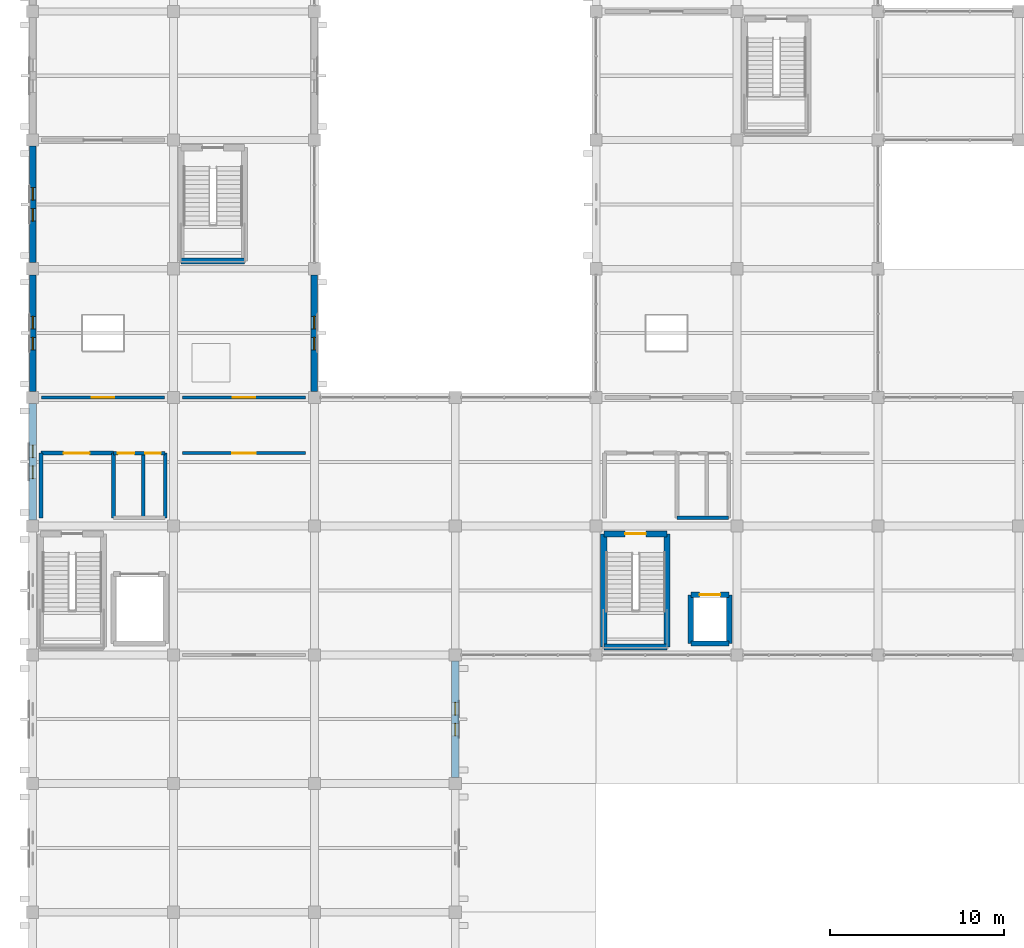
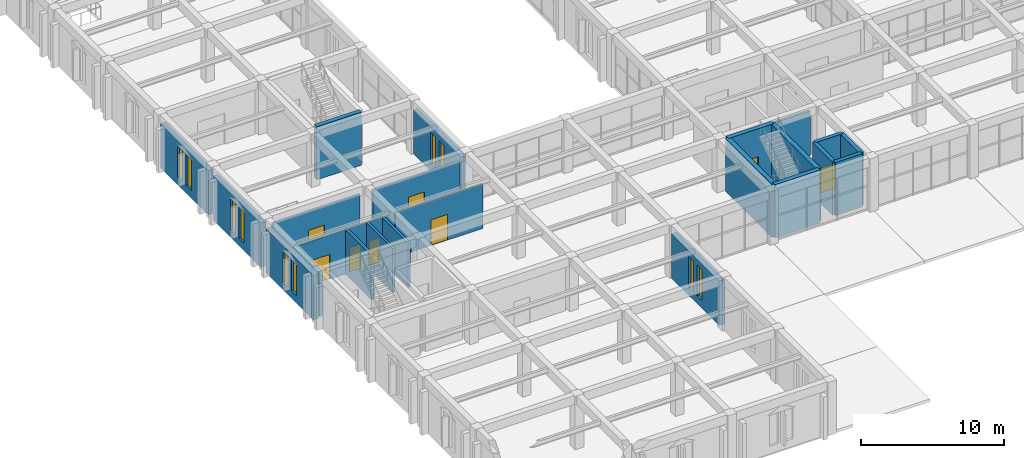
# One storey, part 144 of 161: 24 walls, 10 windows, 8 doors, 18 openings.
"""IFC4 building model written with IfcOpenShell, lengths in metres."""

import ifcopenshell
import ifcopenshell.guid

model = None  # the IFC model being written
_history = None  # IfcOwnerHistory: only IFC2X3 demands one
_inside = {}  # id of a spatial element -> (the spatial element, [elements in it])
_under = {}  # id of a project, library or spatial element -> (it, [spatial elements below it])
_declared = {}  # id of a project -> (the project, [libraries it declares])
_typed = {}  # id of a type object -> (the type object, [elements of that type])
_made_of = {}  # id of a material, layer set ... -> (it, [elements and type objects made of it])


def new_model(schema):
    """Start an empty IFC model of exactly this schema.

    Asked for "IFC4X3", IfcOpenShell would pick the latest addendum, in which some entities
    have other attributes; the version numbers below select the first issue.
    IFC2X3 requires an IfcOwnerHistory on every rooted entity: one is made here for all.
    """
    global model, _history
    if schema == "IFC4X3":
        model = ifcopenshell.file(schema_version=(4, 3, 0, 0))
    else:
        model = ifcopenshell.file(schema=schema)
    _inside.clear()
    _under.clear()
    _declared.clear()
    _typed.clear()
    _made_of.clear()
    _history = None
    if model.schema == "IFC2X3":
        org = make("IfcOrganization", Name="unknown")
        user = make(
            "IfcPersonAndOrganization",
            ThePerson=make("IfcPerson", FamilyName="unknown"),
            TheOrganization=org,
        )
        app = make(
            "IfcApplication",
            ApplicationDeveloper=org,
            Version="unknown",
            ApplicationFullName="unknown",
            ApplicationIdentifier="unknown",
        )
        _history = make(
            "IfcOwnerHistory",
            OwningUser=user,
            OwningApplication=app,
            ChangeAction="ADDED",
            CreationDate=0,
        )
    return model


def make(cls, **values):
    """One entity of the class cls with the attributes given. An attribute that is None is left unset."""
    return model.create_entity(
        cls, **{name: value for name, value in values.items() if value is not None}
    )


def rooted(cls, **values):
    """An entity with a GlobalId (a new one), such as an element, a storey or a relation."""
    return make(cls, GlobalId=ifcopenshell.guid.new(), OwnerHistory=_history, **values)


def si_unit(unit_type, name, prefix=None):
    """IfcSIUnit, for example si_unit("LENGTHUNIT", "METRE", prefix="MILLI")."""
    return make("IfcSIUnit", UnitType=unit_type, Prefix=prefix, Name=name)


def assignment(units):
    """IfcUnitAssignment: the units of a project."""
    return None if units is None else make("IfcUnitAssignment", Units=units)


def point(xyz):
    """IfcCartesianPoint."""
    return None if xyz is None else make("IfcCartesianPoint", Coordinates=xyz)


def direction(xyz):
    """IfcDirection."""
    return None if xyz is None else make("IfcDirection", DirectionRatios=xyz)


def frame(location, z_axis=None, x_axis=None):
    """IfcAxis2Placement3D, a coordinate frame: its origin and axes. An axis left out is left unset."""
    return make(
        "IfcAxis2Placement3D",
        Location=point(location),
        Axis=direction(z_axis),
        RefDirection=direction(x_axis),
    )


def frame_2d(location, x_axis=None):
    """IfcAxis2Placement2D, a coordinate frame in the plane: its origin and x axis."""
    return make(
        "IfcAxis2Placement2D", Location=point(location), RefDirection=direction(x_axis)
    )


def origin():
    """The frame at (0, 0, 0) with its axes left unset."""
    return frame((0.0, 0.0, 0.0))


def place(relative_to, where):
    """IfcLocalPlacement: puts the frame where relative to a parent placement (None: the world)."""
    return make(
        "IfcLocalPlacement", PlacementRelTo=relative_to, RelativePlacement=where
    )


def context(
    kind, dimensions, precision=None, world=None, true_north=None, identifier=None
):
    """IfcGeometricRepresentationContext, for example the 3D "Model" context."""
    return make(
        "IfcGeometricRepresentationContext",
        ContextIdentifier=identifier,
        ContextType=kind,
        CoordinateSpaceDimension=dimensions,
        Precision=precision,
        WorldCoordinateSystem=world,
        TrueNorth=true_north,
    )


def subcontext(parent, identifier, kind, view, scale=None):
    """IfcGeometricRepresentationSubContext, for example "Body" below "Model"."""
    return make(
        "IfcGeometricRepresentationSubContext",
        ContextIdentifier=identifier,
        ContextType=kind,
        ParentContext=parent,
        TargetScale=scale,
        TargetView=view,
    )


def project(units=None, contexts=None):
    """IfcProject with its units and contexts."""
    return rooted(
        "IfcProject",
        Name="project",
        RepresentationContexts=contexts,
        UnitsInContext=assignment(units),
    )


def spatial(cls, under=None, at=None, **own):
    """A site, building, storey or space (cls), placed at a placement, below another one or the project."""
    s = rooted(cls, ObjectPlacement=at, **own)
    if under is not None:
        _under.setdefault(under.id(), (under, []))[1].append(s)
    return s


def profile(cls, at=None, kind="AREA", **sizes):
    """A parametric profile (cls). Its sizes go by their IFC names, for example OverallWidth=200.0."""
    return make(cls, ProfileType=kind, Position=at, **sizes)


def rectangle(**sizes):
    """IfcRectangleProfileDef."""
    return profile("IfcRectangleProfileDef", **sizes)


def extrude(swept, where, along, depth):
    """IfcExtrudedAreaSolid: the profile swept, set in the frame where, extruded along a direction by depth."""
    return make(
        "IfcExtrudedAreaSolid",
        SweptArea=swept,
        Position=where,
        ExtrudedDirection=direction(along),
        Depth=depth,
    )


def shape(context_of_items, identifier, shape_type, items):
    """IfcShapeRepresentation: the items that make up one representation, for example the "Body"."""
    return make(
        "IfcShapeRepresentation",
        ContextOfItems=context_of_items,
        RepresentationIdentifier=identifier,
        RepresentationType=shape_type,
        Items=items,
    )


def material(Name=None, Category=None):
    """IfcMaterial."""
    return make("IfcMaterial", Name=Name, Category=Category)


def layer(
    of_material, thickness, ventilated=None, Name=None, Category=None, Priority=None
):
    """IfcMaterialLayer: one layer of a wall or slab, of a material (None: an air gap)."""
    return make(
        "IfcMaterialLayer",
        Material=of_material,
        LayerThickness=thickness,
        IsVentilated=ventilated,
        Name=Name,
        Category=Category,
        Priority=Priority,
    )


def layer_set(layers, Name=None):
    """IfcMaterialLayerSet."""
    return make("IfcMaterialLayerSet", MaterialLayers=layers, LayerSetName=Name)


def made_of(thing, what):
    """Note that an element or type object is made of a material, layer set ...; save() writes the relation."""
    if what is not None:
        _made_of.setdefault(what.id(), (what, []))[1].append(thing)
    return thing


def type_object(cls, material=None, **own):
    """A type object (cls), such as IfcWallType, which elements share."""
    return made_of(rooted(cls, **own), material)


def element(
    cls,
    number,
    at=None,
    inside=None,
    cuts=None,
    type_object=None,
    material=None,
    context=None,
    identifier="Body",
    shape_type=None,
    held_by="IfcProductDefinitionShape",
    body=None,
    shapes=None,
    **own,
):
    """One element of the class cls, such as IfcWall. Its Tag is "e" and its number.

    at: its placement. inside: the storey or other place that contains it. cuts: it is an
    opening in that element (IfcRelVoidsElement). A single representation is given by context,
    identifier, shape_type and body (its items); several are given by shapes. held_by: the class
    of the entity that holds the representations. save() writes the other relations.
    """
    e = rooted(cls, Tag="e%d" % number, ObjectPlacement=at, **own)
    if body is not None:
        shapes = [shape(context, identifier, shape_type, body)]
    if shapes is not None:
        e.Representation = make(held_by, Representations=shapes)
    if inside is not None:
        _inside.setdefault(inside.id(), (inside, []))[1].append(e)
    if cuts is not None:
        rooted(
            "IfcRelVoidsElement", RelatingBuildingElement=cuts, RelatedOpeningElement=e
        )
    if type_object is not None:
        _typed.setdefault(type_object.id(), (type_object, []))[1].append(e)
    return made_of(e, material)


def fill(opening, filler):
    """IfcRelFillsElement: the door or window that sits in an opening."""
    return rooted(
        "IfcRelFillsElement",
        RelatingOpeningElement=opening,
        RelatedBuildingElement=filler,
    )


def aggregate(whole, parts):
    """IfcRelAggregates: a whole, such as a stair, and the parts it consists of."""
    return rooted("IfcRelAggregates", RelatingObject=whole, RelatedObjects=parts)


def save(model, path):
    """Write the relations noted so far, then the file.

    IfcRelAggregates (storeys below a building ...), IfcRelContainedInSpatialStructure (elements
    in a storey), IfcRelDefinesByType, IfcRelAssociatesMaterial and IfcRelDeclares: one each for
    every whole, place, type object, material and project.
    """
    for whole, parts in _under.values():
        aggregate(whole, parts)
    for where, things in _inside.values():
        rooted(
            "IfcRelContainedInSpatialStructure",
            RelatedElements=things,
            RelatingStructure=where,
        )
    for kind, things in _typed.values():
        rooted("IfcRelDefinesByType", RelatedObjects=things, RelatingType=kind)
    for what, things in _made_of.values():
        rooted("IfcRelAssociatesMaterial", RelatedObjects=things, RelatingMaterial=what)
    for by, libraries in _declared.values():
        rooted("IfcRelDeclares", RelatingContext=by, RelatedDefinitions=libraries)
    model.write(path)


model = new_model("IFC4")

# Units and contexts
model_context = context("Model", 3, precision=1e-05, world=origin(), true_north=direction((0.0, 1.0)))
body_context = subcontext(model_context, "Body", "Model", "MODEL_VIEW")
ifc_project = project(units=[si_unit("LENGTHUNIT", "METRE"), si_unit("AREAUNIT", "SQUARE_METRE"), si_unit("VOLUMEUNIT", "CUBIC_METRE"), si_unit("PLANEANGLEUNIT", "RADIAN"), si_unit("MASSUNIT", "GRAM", prefix="KILO")], contexts=[model_context])

# Site, building, storey
site_placement = place(None, origin())
site = spatial("IfcSite", under=ifc_project, at=site_placement, CompositionType="ELEMENT")
building_placement = place(site_placement, origin())
building = spatial("IfcBuilding", under=site, at=building_placement, Name="Cimatlan Art Gallery", CompositionType="ELEMENT")
storey_placement = place(building_placement, frame((0.0, 0.0, 5.39990234375)))
storey = spatial("IfcBuildingStorey", under=building, at=storey_placement, Name="L01", CompositionType="ELEMENT", Elevation=5.39990234375)

# Walls
ifc_material_1 = material(Name="Concrete C40/50", Category="concrete")
ifc_layer_1 = layer(ifc_material_1, 0.31005859375)
ifc_layer_set_1 = layer_set([ifc_layer_1], Name="Concrete C40/50")
wall_type_1 = type_object("IfcWallType", Name="W-CORE-310", PredefinedType="SHEAR", material=ifc_layer_set_1)
wall_1_placement = place(storey_placement, frame((39.85009765625, 24.550048828125, 0.0), z_axis=(0.0, 0.0, 1.0), x_axis=(0.0, 1.0, 0.0)))
element("IfcWall", 1, at=wall_1_placement, inside=storey, type_object=wall_type_1, Name="WL-SHFT-C2-L01-LW", PredefinedType="SHEAR", context=body_context, shape_type="SweptSolid", body=[
    extrude(rectangle(XDim=2.800048828125, YDim=0.31005859375, at=frame_2d((1.39990234375, 0.0))), origin(), (0.0, 0.0, 1.0), 4.55517578125),
])
wall_2_placement = place(storey_placement, frame((39.85009765625, 24.550048828125, 0.0), z_axis=(0.0, 0.0, 1.0), x_axis=(1.0, 0.0, 0.0)))
element("IfcWall", 2, at=wall_2_placement, inside=storey, type_object=wall_type_1, Name="WL-SHFT-C2-L01-LS", PredefinedType="SHEAR", context=body_context, shape_type="SweptSolid", body=[
    extrude(rectangle(XDim=2.199951171875, YDim=0.31005859375, at=frame_2d((1.10009765625, 0.0))), origin(), (0.0, 0.0, 1.0), 4.55517578125),
])
wall_3_placement = place(storey_placement, frame((42.050048828125, 24.550048828125, 0.0), z_axis=(0.0, 0.0, 1.0), x_axis=(0.0, 1.0, 0.0)))
element("IfcWall", 3, at=wall_3_placement, inside=storey, type_object=wall_type_1, Name="WL-SHFT-C2-L01-LE", PredefinedType="SHEAR", context=body_context, shape_type="SweptSolid", body=[
    extrude(rectangle(XDim=2.800048828125, YDim=0.31005859375, at=frame_2d((1.39990234375, 0.0))), origin(), (0.0, 0.0, 1.0), 4.55517578125),
])

# Wall, opening, door
wall_4_placement = place(storey_placement, frame((39.85009765625, 27.35009765625, 0.0), z_axis=(0.0, 0.0, 1.0), x_axis=(1.0, 0.0, 0.0)))
wall_4 = element("IfcWall", 4, at=wall_4_placement, inside=storey, type_object=wall_type_1, Name="WL-SHFT-C2-L01-LN", PredefinedType="SHEAR", context=body_context, shape_type="SweptSolid", body=[
    extrude(rectangle(XDim=2.199951171875, YDim=0.31005859375, at=frame_2d((1.10009765625, 0.0))), origin(), (0.0, 0.0, 1.0), 4.55517578125),
])
opening_1_placement = place(wall_4_placement, frame((0.5, 0.0, 0.0)))
opening_1 = element("IfcOpeningElement", 5, at=opening_1_placement, cuts=wall_4, Name="Opening LD-C2-L01", PredefinedType="OPENING", context=body_context, shape_type="SweptSolid", body=[
    extrude(rectangle(XDim=1.199951171875, YDim=2.14990234375, at=frame_2d((0.60009765625, 1.074951171875))), frame((0.0, 0.1650390625, 0.0), z_axis=(0.0, -1.0, 0.0), x_axis=(1.0, 0.0, 0.0)), (0.0, 0.0, 1.0), 0.330078125),
])
ifc_material_2 = material(Name="Fire-rated sliding firefighting lift landing door")
door_type_1 = type_object("IfcDoorType", Name="LD-FF-1200", OperationType="NOTDEFINED", PredefinedType="DOOR", material=ifc_material_2)
door_1_placement = place(opening_1_placement, origin())
door_1 = element("IfcDoor", 6, at=door_1_placement, inside=storey, type_object=door_type_1, Name="LD-FFL-01-L01", OperationType="SLIDING_TO_LEFT", OverallHeight=2.14990234375, OverallWidth=1.199951171875, PredefinedType="DOOR", context=body_context, shape_type="SweptSolid", body=[
    extrude(rectangle(XDim=1.199951171875, YDim=2.14990234375, at=frame_2d((0.60009765625, 1.074951171875))), frame((0.0, 0.02490234375, 0.0), z_axis=(0.0, -1.0, 0.0), x_axis=(1.0, 0.0, 0.0)), (0.0, 0.0, 1.0), 0.050048828125),
])
fill(opening_1, door_1)

# Walls
ifc_layer_2 = layer(ifc_material_1, 0.35009765625)
ifc_layer_set_2 = layer_set([ifc_layer_2], Name="Concrete C40/50")
wall_type_2 = type_object("IfcWallType", Name="W-CORE-350", PredefinedType="SHEAR", material=ifc_layer_set_2)
wall_5_placement = place(storey_placement, frame((34.840087890625, 24.340087890625, 0.0), z_axis=(0.0, 0.0, 1.0), x_axis=(0.0, 1.0, 0.0)))
element("IfcWall", 7, at=wall_5_placement, inside=storey, type_object=wall_type_2, Name="WL-CORE-C2-L01-SW", PredefinedType="SHEAR", context=body_context, shape_type="SweptSolid", body=[
    extrude(rectangle(XDim=6.52001953125, YDim=0.35009765625, at=frame_2d((3.260009765625, 0.0))), origin(), (0.0, 0.0, 1.0), 4.55517578125),
])
wall_6_placement = place(storey_placement, frame((34.840087890625, 24.340087890625, 0.0), z_axis=(0.0, 0.0, 1.0), x_axis=(1.0, 0.0, 0.0)))
element("IfcWall", 8, at=wall_6_placement, inside=storey, type_object=wall_type_2, Name="WL-CORE-C2-L01-SS", PredefinedType="SHEAR", context=body_context, shape_type="SweptSolid", body=[
    extrude(rectangle(XDim=3.639892578125, YDim=0.35009765625, at=frame_2d((1.81982421875, 0.0))), origin(), (0.0, 0.0, 1.0), 4.55517578125),
])
wall_7_placement = place(storey_placement, frame((38.47998046875, 24.340087890625, 0.0), z_axis=(0.0, 0.0, 1.0), x_axis=(0.0, 1.0, 0.0)))
element("IfcWall", 9, at=wall_7_placement, inside=storey, type_object=wall_type_2, Name="WL-CORE-C2-L01-SE", PredefinedType="SHEAR", context=body_context, shape_type="SweptSolid", body=[
    extrude(rectangle(XDim=6.52001953125, YDim=0.35009765625, at=frame_2d((3.260009765625, 0.0))), origin(), (0.0, 0.0, 1.0), 4.55517578125),
])

# Wall, opening, door
wall_8_placement = place(storey_placement, frame((34.840087890625, 30.860107421875, 0.0), z_axis=(0.0, 0.0, 1.0), x_axis=(1.0, 0.0, 0.0)))
wall_8 = element("IfcWall", 10, at=wall_8_placement, inside=storey, type_object=wall_type_2, Name="WL-CORE-C2-L01-SN", PredefinedType="SHEAR", context=body_context, shape_type="SweptSolid", body=[
    extrude(rectangle(XDim=3.639892578125, YDim=0.35009765625, at=frame_2d((1.81982421875, 0.0))), origin(), (0.0, 0.0, 1.0), 4.55517578125),
])
opening_2_placement = place(wall_8_placement, frame((1.219970703125, 0.0, 0.0)))
opening_2 = element("IfcOpeningElement", 11, at=opening_2_placement, cuts=wall_8, Name="Opening FD-C2-L01", PredefinedType="OPENING", context=body_context, shape_type="SweptSolid", body=[
    extrude(rectangle(XDim=1.199951171875, YDim=2.14990234375, at=frame_2d((0.60009765625, 1.074951171875))), frame((0.0, 0.18505859375, 0.0), z_axis=(0.0, -1.0, 0.0), x_axis=(1.0, 0.0, 0.0)), (0.0, 0.0, 1.0), 0.3701171875),
])
ifc_material_3 = material(Name="Fire-resisting steel acoustic stair door", Category="steel")
door_type_2 = type_object("IfcDoorType", Name="FD-ST-1200", OperationType="NOTDEFINED", PredefinedType="DOOR", material=ifc_material_3)
door_2_placement = place(opening_2_placement, origin())
door_2 = element("IfcDoor", 12, at=door_2_placement, inside=storey, type_object=door_type_2, Name="DR-C2-L01-ST", OperationType="SINGLE_SWING_LEFT", OverallHeight=2.14990234375, OverallWidth=1.199951171875, PredefinedType="DOOR", context=body_context, shape_type="SweptSolid", body=[
    extrude(rectangle(XDim=1.199951171875, YDim=2.14990234375, at=frame_2d((0.60009765625, 1.074951171875))), frame((0.0, 0.02490234375, 0.0), z_axis=(0.0, -1.0, 0.0), x_axis=(1.0, 0.0, 0.0)), (0.0, 0.0, 1.0), 0.050048828125),
])
fill(opening_2, door_2)

# Wall
wall_9_placement = place(storey_placement, frame((10.5400390625, 46.5400390625, 0.0), z_axis=(0.0, 0.0, 1.0), x_axis=(1.0, 0.0, 0.0)))
element("IfcWall", 13, at=wall_9_placement, inside=storey, type_object=wall_type_2, Name="WL-CORE-C7-L01-SS", PredefinedType="SHEAR", context=body_context, shape_type="SweptSolid", body=[
    extrude(rectangle(XDim=3.639892578125, YDim=0.35009765625, at=frame_2d((1.81982421875, 0.0))), origin(), (0.0, 0.0, 1.0), 4.55517578125),
])

# Wall, opening, door
ifc_material_4 = material(Name="Precast concrete C40/50", Category="concrete")
ifc_layer_3 = layer(ifc_material_4, 0.2451171875)
ifc_layer_set_3 = layer_set([ifc_layer_3], Name="Precast concrete C40/50")
wall_type_3 = type_object("IfcWallType", Name="W-FFL-245", PredefinedType="PARTITIONING", material=ifc_layer_set_3)
wall_10_placement = place(storey_placement, frame((2.47998046875, 35.5, 0.0), z_axis=(0.0, 0.0, 1.0), x_axis=(1.0, 0.0, 0.0)))
wall_10 = element("IfcWall", 14, at=wall_10_placement, inside=storey, type_object=wall_type_3, Name="WL-LOB-C1-L01-N", PredefinedType="PARTITIONING", context=body_context, shape_type="SweptSolid", body=[
    extrude(rectangle(XDim=4.169921875, YDim=0.2451171875, at=frame_2d((2.0849609375, 0.0))), origin(), (0.0, 0.0, 1.0), 3.800048828125),
])
opening_3_placement = place(wall_10_placement, frame((1.300048828125, 0.0, 0.0)))
opening_3 = element("IfcOpeningElement", 15, at=opening_3_placement, cuts=wall_10, Name="Opening FDL-C1-L01", PredefinedType="OPENING", context=body_context, shape_type="SweptSolid", body=[
    extrude(rectangle(XDim=1.5, YDim=2.14990234375, at=frame_2d((0.75, 1.074951171875))), frame((0.0, 0.132568359375, 0.0), z_axis=(0.0, -1.0, 0.0), x_axis=(1.0, 0.0, 0.0)), (0.0, 0.0, 1.0), 0.26513671875),
])
ifc_material_5 = material(Name="Fire-resisting double-seal lobby door")
door_type_3 = type_object("IfcDoorType", Name="FD-LB-1500", OperationType="NOTDEFINED", PredefinedType="DOOR", material=ifc_material_5)
door_3_placement = place(opening_3_placement, origin())
door_3 = element("IfcDoor", 16, at=door_3_placement, inside=storey, type_object=door_type_3, Name="DR-LOB-C1-L01", OperationType="SINGLE_SWING_RIGHT", OverallHeight=2.14990234375, OverallWidth=1.5, PredefinedType="DOOR", context=body_context, shape_type="SweptSolid", body=[
    extrude(rectangle(XDim=1.5, YDim=2.14990234375, at=frame_2d((0.75, 1.074951171875))), frame((0.0, 0.02490234375, 0.0), z_axis=(0.0, -1.0, 0.0), x_axis=(1.0, 0.0, 0.0)), (0.0, 0.0, 1.0), 0.050048828125),
])
fill(opening_3, door_3)

# Walls
for number, where, z_axis, x_axis, name in (
    (17, (2.47998046875, 31.780029296875, 0.0), (0.0, 0.0, 1.0), (0.0, 1.0, 0.0), "WL-LOB-C1-L01-W"),
    (18, (6.64990234375, 31.780029296875, 0.0), (0.0, 0.0, 1.0), (0.0, 1.0, 0.0), "WL-LOB-C1-L01-M"),
):
    element("IfcWall", number, at=place(storey_placement, frame(where, z_axis=z_axis, x_axis=x_axis)), inside=storey, type_object=wall_type_3, Name=name, PredefinedType="PARTITIONING", context=body_context, shape_type="SweptSolid", body=[
        extrude(rectangle(XDim=3.719970703125, YDim=0.2451171875, at=frame_2d((1.85986328125, 0.0))), origin(), (0.0, 0.0, 1.0), 3.800048828125),
    ])

# Wall, opening, door
ifc_material_6 = material(Name="Acoustic gypsum and steel stud partition", Category="steel")
ifc_layer_4 = layer(ifc_material_6, 0.159912109375)
ifc_layer_set_4 = layer_set([ifc_layer_4], Name="Acoustic gypsum and steel stud partition")
wall_type_4 = type_object("IfcWallType", Name="W-LRN-160", PredefinedType="PARTITIONING", material=ifc_layer_set_4)
wall_11_placement = place(storey_placement, frame((10.6201171875, 35.5, 0.0), z_axis=(0.0, 0.0, 1.0), x_axis=(1.0, 0.0, 0.0)))
wall_11 = element("IfcWall", 19, at=wall_11_placement, inside=storey, type_object=wall_type_4, Name="WL-RM-L01-LRN-01", PredefinedType="PARTITIONING", context=body_context, shape_type="SweptSolid", body=[
    extrude(rectangle(XDim=7.059814453125, YDim=0.159912109375, at=frame_2d((3.52978515625, 0.0))), origin(), (0.0, 0.0, 1.0), 3.800048828125),
])
opening_4_placement = place(wall_11_placement, frame((2.85498046875, 0.0, 0.0)))
opening_4 = element("IfcOpeningElement", 20, at=opening_4_placement, cuts=wall_11, Name="Opening DI-0200", PredefinedType="OPENING", context=body_context, shape_type="SweptSolid", body=[
    extrude(rectangle(XDim=1.35009765625, YDim=2.199951171875, at=frame_2d((0.675048828125, 1.10009765625))), frame((0.0, 0.08984375, 0.0), z_axis=(0.0, -1.0, 0.0), x_axis=(1.0, 0.0, 0.0)), (0.0, 0.0, 1.0), 0.179931640625),
])
ifc_material_7 = material(Name="Oak learning-centre workshop door")
door_type_4 = type_object("IfcDoorType", Name="DI-LN-1350", OperationType="NOTDEFINED", PredefinedType="DOOR", material=ifc_material_7)
door_4_placement = place(opening_4_placement, origin())
door_4 = element("IfcDoor", 21, at=door_4_placement, inside=storey, type_object=door_type_4, Name="DR-RM-L01-LRN-01", OperationType="SINGLE_SWING_RIGHT", OverallHeight=2.199951171875, OverallWidth=1.35009765625, PredefinedType="DOOR", context=body_context, shape_type="SweptSolid", body=[
    extrude(rectangle(XDim=1.35009765625, YDim=2.199951171875, at=frame_2d((0.675048828125, 1.10009765625))), frame((0.0, 0.02490234375, 0.0), z_axis=(0.0, -1.0, 0.0), x_axis=(1.0, 0.0, 0.0)), (0.0, 0.0, 1.0), 0.050048828125),
])
fill(opening_4, door_4)

# Walls
ifc_material_8 = material(Name="Moisture-resistant fire-rated plumbing wall")
ifc_layer_5 = layer(ifc_material_8, 0.195068359375)
ifc_layer_set_5 = layer_set([ifc_layer_5], Name="Moisture-resistant fire-rated plumbing wall")
wall_type_5 = type_object("IfcWallType", Name="W-PLM-195", PredefinedType="PARTITIONING", material=ifc_layer_set_5)
for number, where, z_axis, x_axis, name in (
    (22, (8.35009765625, 31.780029296875, 0.0), (0.0, 0.0, 1.0), (0.0, 1.0, 0.0), "WL-LOB-C1-L01-D"),
    (23, (9.6201171875, 31.780029296875, 0.0), (0.0, 0.0, 1.0), (0.0, 1.0, 0.0), "WL-LOB-C1-L01-E"),
):
    element("IfcWall", number, at=place(storey_placement, frame(where, z_axis=z_axis, x_axis=x_axis)), inside=storey, type_object=wall_type_5, Name=name, PredefinedType="PARTITIONING", context=body_context, shape_type="SweptSolid", body=[
        extrude(rectangle(XDim=3.719970703125, YDim=0.195068359375, at=frame_2d((1.85986328125, 0.0))), origin(), (0.0, 0.0, 1.0), 3.800048828125),
    ])

# Wall, openings, doors
wall_12_placement = place(storey_placement, frame((6.64990234375, 35.5, 0.0), z_axis=(0.0, 0.0, 1.0), x_axis=(1.0, 0.0, 0.0)))
wall_12 = element("IfcWall", 24, at=wall_12_placement, inside=storey, type_object=wall_type_5, Name="WL-WC-C1-L01-N", PredefinedType="PARTITIONING", context=body_context, shape_type="SweptSolid", body=[
    extrude(rectangle(XDim=2.97021484375, YDim=0.195068359375, at=frame_2d((1.485107421875, 0.0))), origin(), (0.0, 0.0, 1.0), 3.800048828125),
])
opening_5_placement = place(wall_12_placement, frame((0.25, 0.0, 0.0)))
opening_5 = element("IfcOpeningElement", 25, at=opening_5_placement, cuts=wall_12, Name="Opening DWC-C1A-L01", PredefinedType="OPENING", context=body_context, shape_type="SweptSolid", body=[
    extrude(rectangle(XDim=0.949951171875, YDim=2.10009765625, at=frame_2d((0.47509765625, 1.050048828125))), frame((0.0, 0.107421875, 0.0), z_axis=(0.0, -1.0, 0.0), x_axis=(1.0, 0.0, 0.0)), (0.0, 0.0, 1.0), 0.215087890625),
])
opening_6_placement = place(wall_12_placement, frame((1.820068359375, 0.0, 0.0)))
opening_6 = element("IfcOpeningElement", 26, at=opening_6_placement, cuts=wall_12, Name="Opening DWC-C1B-L01", PredefinedType="OPENING", context=body_context, shape_type="SweptSolid", body=[
    extrude(rectangle(XDim=0.89990234375, YDim=2.10009765625, at=frame_2d((0.449951171875, 1.050048828125))), frame((0.0, 0.107421875, 0.0), z_axis=(0.0, -1.0, 0.0), x_axis=(1.0, 0.0, 0.0)), (0.0, 0.0, 1.0), 0.215087890625),
])
ifc_material_9 = material(Name="Sanitary room door")
door_type_5 = type_object("IfcDoorType", Name="DI-WC-0900", OperationType="NOTDEFINED", PredefinedType="DOOR", material=ifc_material_9)
door_5_placement = place(opening_6_placement, origin())
door_5 = element("IfcDoor", 27, at=door_5_placement, inside=storey, type_object=door_type_5, Name="DR-PWC-C1-L01", OperationType="SINGLE_SWING_RIGHT", OverallHeight=2.10009765625, OverallWidth=0.89990234375, PredefinedType="DOOR", context=body_context, shape_type="SweptSolid", body=[
    extrude(rectangle(XDim=0.89990234375, YDim=2.10009765625, at=frame_2d((0.449951171875, 1.050048828125))), frame((0.0, 0.02490234375, 0.0), z_axis=(0.0, -1.0, 0.0), x_axis=(1.0, 0.0, 0.0)), (0.0, 0.0, 1.0), 0.050048828125),
])
fill(opening_6, door_5)
ifc_material_10 = material(Name="Accessible sanitary room door")
door_type_6 = type_object("IfcDoorType", Name="DI-WC-0950", OperationType="NOTDEFINED", PredefinedType="DOOR", material=ifc_material_10)
door_6_placement = place(opening_5_placement, origin())
door_6 = element("IfcDoor", 28, at=door_6_placement, inside=storey, type_object=door_type_6, Name="DR-AWC-C1-L01", OperationType="SINGLE_SWING_LEFT", OverallHeight=2.10009765625, OverallWidth=0.949951171875, PredefinedType="DOOR", context=body_context, shape_type="SweptSolid", body=[
    extrude(rectangle(XDim=0.949951171875, YDim=2.10009765625, at=frame_2d((0.47509765625, 1.050048828125))), frame((0.0, 0.02490234375, 0.0), z_axis=(0.0, -1.0, 0.0), x_axis=(1.0, 0.0, 0.0)), (0.0, 0.0, 1.0), 0.050048828125),
])
fill(opening_5, door_6)

# Wall
wall_13_placement = place(storey_placement, frame((39.050048828125, 31.780029296875, 0.0), z_axis=(0.0, 0.0, 1.0), x_axis=(1.0, 0.0, 0.0)))
element("IfcWall", 29, at=wall_13_placement, inside=storey, type_object=wall_type_5, Name="WL-LOB-C2-L01-S", PredefinedType="PARTITIONING", context=body_context, shape_type="SweptSolid", body=[
    extrude(rectangle(XDim=2.969970703125, YDim=0.195068359375, at=frame_2d((1.48486328125, 0.0))), origin(), (0.0, 0.0, 1.0), 3.800048828125),
])

# Wall, opening, door
ifc_layer_6 = layer(ifc_material_6, 0.179931640625)
ifc_layer_set_6 = layer_set([ifc_layer_6], Name="Acoustic gypsum and steel stud partition")
wall_type_6 = type_object("IfcWallType", Name="W-STD-180", PredefinedType="PARTITIONING", material=ifc_layer_set_6)
wall_14_placement = place(storey_placement, frame((2.52001953125, 38.699951171875, 0.0), z_axis=(0.0, 0.0, 1.0), x_axis=(1.0, 0.0, 0.0)))
wall_14 = element("IfcWall", 30, at=wall_14_placement, inside=storey, type_object=wall_type_6, Name="WL-RM-L01-CNS-02", PredefinedType="PARTITIONING", context=body_context, shape_type="SweptSolid", body=[
    extrude(rectangle(XDim=7.06005859375, YDim=0.179931640625, at=frame_2d((3.530029296875, 0.0))), origin(), (0.0, 0.0, 1.0), 3.800048828125),
])
opening_7_placement = place(wall_14_placement, frame((2.8798828125, 0.0, 0.0)))
opening_7 = element("IfcOpeningElement", 31, at=opening_7_placement, cuts=wall_14, Name="Opening DI-0197", PredefinedType="OPENING", context=body_context, shape_type="SweptSolid", body=[
    extrude(rectangle(XDim=1.300048828125, YDim=2.199951171875, at=frame_2d((0.64990234375, 1.10009765625))), frame((0.0, 0.10009765625, 0.0), z_axis=(0.0, -1.0, 0.0), x_axis=(1.0, 0.0, 0.0)), (0.0, 0.0, 1.0), 0.199951171875),
])
ifc_material_11 = material(Name="Conservation laboratory double-leaf door")
door_type_7 = type_object("IfcDoorType", Name="DI-CN-1300", OperationType="NOTDEFINED", PredefinedType="DOOR", material=ifc_material_11)
door_7_placement = place(opening_7_placement, origin())
door_7 = element("IfcDoor", 32, at=door_7_placement, inside=storey, type_object=door_type_7, Name="DR-RM-L01-CNS-02", OperationType="SINGLE_SWING_LEFT", OverallHeight=2.199951171875, OverallWidth=1.300048828125, PredefinedType="DOOR", context=body_context, shape_type="SweptSolid", body=[
    extrude(rectangle(XDim=1.300048828125, YDim=2.199951171875, at=frame_2d((0.64990234375, 1.10009765625))), frame((0.0, 0.02490234375, 0.0), z_axis=(0.0, -1.0, 0.0), x_axis=(1.0, 0.0, 0.0)), (0.0, 0.0, 1.0), 0.050048828125),
])
fill(opening_7, door_7)

wall_15_placement = place(storey_placement, frame((10.6201171875, 38.699951171875, 0.0), z_axis=(0.0, 0.0, 1.0), x_axis=(1.0, 0.0, 0.0)))
wall_15 = element("IfcWall", 33, at=wall_15_placement, inside=storey, type_object=wall_type_6, Name="WL-RM-L01-CNS-02B", PredefinedType="PARTITIONING", context=body_context, shape_type="SweptSolid", body=[
    extrude(rectangle(XDim=7.059814453125, YDim=0.179931640625, at=frame_2d((3.52978515625, 0.0))), origin(), (0.0, 0.0, 1.0), 3.800048828125),
])
opening_8_placement = place(wall_15_placement, frame((2.8798828125, 0.0, 0.0)))
opening_8 = element("IfcOpeningElement", 34, at=opening_8_placement, cuts=wall_15, Name="Opening DI-0198", PredefinedType="OPENING", context=body_context, shape_type="SweptSolid", body=[
    extrude(rectangle(XDim=1.300048828125, YDim=2.199951171875, at=frame_2d((0.64990234375, 1.10009765625))), frame((0.0, 0.10009765625, 0.0), z_axis=(0.0, -1.0, 0.0), x_axis=(1.0, 0.0, 0.0)), (0.0, 0.0, 1.0), 0.199951171875),
])
door_8_placement = place(opening_8_placement, origin())
door_8 = element("IfcDoor", 35, at=door_8_placement, inside=storey, type_object=door_type_7, Name="DR-RM-L01-CNS-02B", OperationType="SINGLE_SWING_RIGHT", OverallHeight=2.199951171875, OverallWidth=1.300048828125, PredefinedType="DOOR", context=body_context, shape_type="SweptSolid", body=[
    extrude(rectangle(XDim=1.300048828125, YDim=2.199951171875, at=frame_2d((0.64990234375, 1.10009765625))), frame((0.0, 0.02490234375, 0.0), z_axis=(0.0, -1.0, 0.0), x_axis=(1.0, 0.0, 0.0)), (0.0, 0.0, 1.0), 0.050048828125),
])
fill(opening_8, door_8)

# Wall, openings, windows
ifc_layer_7 = layer(ifc_material_4, 0.419921875)
ifc_layer_set_7 = layer_set([ifc_layer_7], Name="Precast concrete C40/50")
wall_type_7 = type_object("IfcWallType", Name="WL-EXT-CAN-420", PredefinedType="SOLIDWALL", material=ifc_layer_set_7)
wall_16_placement = place(storey_placement, frame((2.0, 31.654052734375, 0.0), z_axis=(0.0, 0.0, 1.0), x_axis=(0.0, 1.0, 0.0)))
wall_16 = element("IfcWall", 36, at=wall_16_placement, inside=storey, type_object=wall_type_7, Name="WL-EXT-L01-00-04-W", PredefinedType="SOLIDWALL", context=body_context, shape_type="SweptSolid", body=[
    extrude(rectangle(XDim=6.69189453125, YDim=0.419921875, at=frame_2d((3.345947265625, 0.0))), origin(), (0.0, 0.0, 1.0), 3.795166015625),
])
opening_9_placement = place(wall_16_placement, frame((2.385986328125, 0.0, 0.64990234375)))
opening_9 = element("IfcOpeningElement", 37, at=opening_9_placement, cuts=wall_16, Name="Opening WN-0063", PredefinedType="OPENING", context=body_context, shape_type="SweptSolid", body=[
    extrude(rectangle(XDim=0.719970703125, YDim=2.64990234375, at=frame_2d((0.35986328125, 1.324951171875))), frame((0.0, 0.219970703125, 0.0), z_axis=(0.0, -1.0, 0.0), x_axis=(1.0, 0.0, 0.0)), (0.0, 0.0, 1.0), 0.43994140625),
])
opening_10_placement = place(wall_16_placement, frame((3.5859375, 0.0, 0.64990234375)))
opening_10 = element("IfcOpeningElement", 38, at=opening_10_placement, cuts=wall_16, Name="Opening WN-0064", PredefinedType="OPENING", context=body_context, shape_type="SweptSolid", body=[
    extrude(rectangle(XDim=0.719970703125, YDim=2.64990234375, at=frame_2d((0.35986328125, 1.324951171875))), frame((0.0, 0.219970703125, 0.0), z_axis=(0.0, -1.0, 0.0), x_axis=(1.0, 0.0, 0.0)), (0.0, 0.0, 1.0), 0.43994140625),
])
ifc_material_12 = material(Name="Low-E laminated double glazing in bronze lancet frame", Category="glass")
window_type = type_object("IfcWindowType", Name="WIN-CNS-L01-0720X2650", PartitioningType="SINGLE_PANEL", PredefinedType="WINDOW", material=ifc_material_12)
window_1_placement = place(opening_9_placement, origin())
window_1 = element("IfcWindow", 39, at=window_1_placement, inside=storey, type_object=window_type, Name="WIN-0063", OverallHeight=2.64990234375, OverallWidth=0.719970703125, PartitioningType="SINGLE_PANEL", PredefinedType="WINDOW", context=body_context, shape_type="SweptSolid", body=[
    extrude(rectangle(XDim=0.719970703125, YDim=2.64990234375, at=frame_2d((0.35986328125, 1.324951171875))), frame((0.0, 0.030029296875, 0.0), z_axis=(0.0, -1.0, 0.0), x_axis=(1.0, 0.0, 0.0)), (0.0, 0.0, 1.0), 0.06005859375),
])
fill(opening_9, window_1)
window_2_placement = place(opening_10_placement, origin())
window_2 = element("IfcWindow", 40, at=window_2_placement, inside=storey, type_object=window_type, Name="WIN-0064", OverallHeight=2.64990234375, OverallWidth=0.719970703125, PartitioningType="SINGLE_PANEL", PredefinedType="WINDOW", context=body_context, shape_type="SweptSolid", body=[
    extrude(rectangle(XDim=0.719970703125, YDim=2.64990234375, at=frame_2d((0.35986328125, 1.324951171875))), frame((0.0, 0.030029296875, 0.0), z_axis=(0.0, -1.0, 0.0), x_axis=(1.0, 0.0, 0.0)), (0.0, 0.0, 1.0), 0.06005859375),
])
fill(opening_10, window_2)

wall_17_placement = place(storey_placement, frame((26.300048828125, 23.5458984375, 0.0), z_axis=(0.0, 0.0, 1.0), x_axis=(0.0, -1.0, 0.0)))
wall_17 = element("IfcWall", 41, at=wall_17_placement, inside=storey, type_object=wall_type_7, Name="WL-EXT-L01-02-02-E", PredefinedType="SOLIDWALL", context=body_context, shape_type="SweptSolid", body=[
    extrude(rectangle(XDim=6.69189453125, YDim=0.419921875, at=frame_2d((3.345947265625, 0.0))), origin(), (0.0, 0.0, 1.0), 3.795166015625),
])
opening_11_placement = place(wall_17_placement, frame((2.385986328125, 0.0, 0.64990234375)))
opening_11 = element("IfcOpeningElement", 42, at=opening_11_placement, cuts=wall_17, Name="Opening WN-0095", PredefinedType="OPENING", context=body_context, shape_type="SweptSolid", body=[
    extrude(rectangle(XDim=0.719970703125, YDim=2.64990234375, at=frame_2d((0.35986328125, 1.324951171875))), frame((0.0, 0.219970703125, 0.0), z_axis=(0.0, -1.0, 0.0), x_axis=(1.0, 0.0, 0.0)), (0.0, 0.0, 1.0), 0.43994140625),
])
opening_12_placement = place(wall_17_placement, frame((3.5859375, 0.0, 0.64990234375)))
opening_12 = element("IfcOpeningElement", 43, at=opening_12_placement, cuts=wall_17, Name="Opening WN-0096", PredefinedType="OPENING", context=body_context, shape_type="SweptSolid", body=[
    extrude(rectangle(XDim=0.719970703125, YDim=2.64990234375, at=frame_2d((0.35986328125, 1.324951171875))), frame((0.0, 0.219970703125, 0.0), z_axis=(0.0, -1.0, 0.0), x_axis=(1.0, 0.0, 0.0)), (0.0, 0.0, 1.0), 0.43994140625),
])
window_3_placement = place(opening_11_placement, origin())
window_3 = element("IfcWindow", 44, at=window_3_placement, inside=storey, type_object=window_type, Name="WIN-0095", OverallHeight=2.64990234375, OverallWidth=0.719970703125, PartitioningType="SINGLE_PANEL", PredefinedType="WINDOW", context=body_context, shape_type="SweptSolid", body=[
    extrude(rectangle(XDim=0.719970703125, YDim=2.64990234375, at=frame_2d((0.35986328125, 1.324951171875))), frame((0.0, 0.030029296875, 0.0), z_axis=(0.0, -1.0, 0.0), x_axis=(1.0, 0.0, 0.0)), (0.0, 0.0, 1.0), 0.06005859375),
])
fill(opening_11, window_3)
window_4_placement = place(opening_12_placement, origin())
window_4 = element("IfcWindow", 45, at=window_4_placement, inside=storey, type_object=window_type, Name="WIN-0096", OverallHeight=2.64990234375, OverallWidth=0.719970703125, PartitioningType="SINGLE_PANEL", PredefinedType="WINDOW", context=body_context, shape_type="SweptSolid", body=[
    extrude(rectangle(XDim=0.719970703125, YDim=2.64990234375, at=frame_2d((0.35986328125, 1.324951171875))), frame((0.0, 0.030029296875, 0.0), z_axis=(0.0, -1.0, 0.0), x_axis=(1.0, 0.0, 0.0)), (0.0, 0.0, 1.0), 0.06005859375),
])
fill(opening_12, window_4)

ifc_layer_8 = layer(ifc_material_4, 0.364990234375)
ifc_layer_set_8 = layer_set([ifc_layer_8], Name="Precast concrete C40/50")
wall_type_8 = type_object("IfcWallType", Name="WL-EXT-VLT-365", PredefinedType="SOLIDWALL", material=ifc_layer_set_8)
wall_18_placement = place(storey_placement, frame((2.0, 39.053955078125, 0.0), z_axis=(0.0, 0.0, 1.0), x_axis=(0.0, 1.0, 0.0)))
wall_18 = element("IfcWall", 46, at=wall_18_placement, inside=storey, type_object=wall_type_8, Name="WL-EXT-L01-00-05-W", PredefinedType="SOLIDWALL", context=body_context, shape_type="SweptSolid", body=[
    extrude(rectangle(XDim=6.692138671875, YDim=0.364990234375, at=frame_2d((3.34619140625, 0.0))), origin(), (0.0, 0.0, 1.0), 3.795166015625),
])
opening_13_placement = place(wall_18_placement, frame((2.385986328125, 0.0, 0.64990234375)))
opening_13 = element("IfcOpeningElement", 47, at=opening_13_placement, cuts=wall_18, Name="Opening WN-0065", PredefinedType="OPENING", context=body_context, shape_type="SweptSolid", body=[
    extrude(rectangle(XDim=0.719970703125, YDim=2.64990234375, at=frame_2d((0.35986328125, 1.324951171875))), frame((0.0, 0.1923828125, 0.0), z_axis=(0.0, -1.0, 0.0), x_axis=(1.0, 0.0, 0.0)), (0.0, 0.0, 1.0), 0.385009765625),
])
opening_14_placement = place(wall_18_placement, frame((3.5859375, 0.0, 0.64990234375)))
opening_14 = element("IfcOpeningElement", 48, at=opening_14_placement, cuts=wall_18, Name="Opening WN-0066", PredefinedType="OPENING", context=body_context, shape_type="SweptSolid", body=[
    extrude(rectangle(XDim=0.719970703125, YDim=2.64990234375, at=frame_2d((0.35986328125, 1.324951171875))), frame((0.0, 0.1923828125, 0.0), z_axis=(0.0, -1.0, 0.0), x_axis=(1.0, 0.0, 0.0)), (0.0, 0.0, 1.0), 0.385009765625),
])
window_5_placement = place(opening_13_placement, origin())
window_5 = element("IfcWindow", 49, at=window_5_placement, inside=storey, type_object=window_type, Name="WIN-0065", OverallHeight=2.64990234375, OverallWidth=0.719970703125, PartitioningType="SINGLE_PANEL", PredefinedType="WINDOW", context=body_context, shape_type="SweptSolid", body=[
    extrude(rectangle(XDim=0.719970703125, YDim=2.64990234375, at=frame_2d((0.35986328125, 1.324951171875))), frame((0.0, 0.030029296875, 0.0), z_axis=(0.0, -1.0, 0.0), x_axis=(1.0, 0.0, 0.0)), (0.0, 0.0, 1.0), 0.06005859375),
])
fill(opening_13, window_5)
window_6_placement = place(opening_14_placement, origin())
window_6 = element("IfcWindow", 50, at=window_6_placement, inside=storey, type_object=window_type, Name="WIN-0066", OverallHeight=2.64990234375, OverallWidth=0.719970703125, PartitioningType="SINGLE_PANEL", PredefinedType="WINDOW", context=body_context, shape_type="SweptSolid", body=[
    extrude(rectangle(XDim=0.719970703125, YDim=2.64990234375, at=frame_2d((0.35986328125, 1.324951171875))), frame((0.0, 0.030029296875, 0.0), z_axis=(0.0, -1.0, 0.0), x_axis=(1.0, 0.0, 0.0)), (0.0, 0.0, 1.0), 0.06005859375),
])
fill(opening_14, window_6)

wall_19_placement = place(storey_placement, frame((2.0, 46.4541015625, 0.0), z_axis=(0.0, 0.0, 1.0), x_axis=(0.0, 1.0, 0.0)))
wall_19 = element("IfcWall", 51, at=wall_19_placement, inside=storey, type_object=wall_type_8, Name="WL-EXT-L01-00-06-W", PredefinedType="SOLIDWALL", context=body_context, shape_type="SweptSolid", body=[
    extrude(rectangle(XDim=6.69189453125, YDim=0.364990234375, at=frame_2d((3.345947265625, 0.0))), origin(), (0.0, 0.0, 1.0), 3.795166015625),
])
opening_15_placement = place(wall_19_placement, frame((2.385986328125, 0.0, 0.64990234375)))
opening_15 = element("IfcOpeningElement", 52, at=opening_15_placement, cuts=wall_19, Name="Opening WN-0067", PredefinedType="OPENING", context=body_context, shape_type="SweptSolid", body=[
    extrude(rectangle(XDim=0.719970703125, YDim=2.64990234375, at=frame_2d((0.35986328125, 1.324951171875))), frame((0.0, 0.1923828125, 0.0), z_axis=(0.0, -1.0, 0.0), x_axis=(1.0, 0.0, 0.0)), (0.0, 0.0, 1.0), 0.385009765625),
])
opening_16_placement = place(wall_19_placement, frame((3.5859375, 0.0, 0.64990234375)))
opening_16 = element("IfcOpeningElement", 53, at=opening_16_placement, cuts=wall_19, Name="Opening WN-0068", PredefinedType="OPENING", context=body_context, shape_type="SweptSolid", body=[
    extrude(rectangle(XDim=0.719970703125, YDim=2.64990234375, at=frame_2d((0.35986328125, 1.324951171875))), frame((0.0, 0.1923828125, 0.0), z_axis=(0.0, -1.0, 0.0), x_axis=(1.0, 0.0, 0.0)), (0.0, 0.0, 1.0), 0.385009765625),
])
window_7_placement = place(opening_15_placement, origin())
window_7 = element("IfcWindow", 54, at=window_7_placement, inside=storey, type_object=window_type, Name="WIN-0067", OverallHeight=2.64990234375, OverallWidth=0.719970703125, PartitioningType="SINGLE_PANEL", PredefinedType="WINDOW", context=body_context, shape_type="SweptSolid", body=[
    extrude(rectangle(XDim=0.719970703125, YDim=2.64990234375, at=frame_2d((0.35986328125, 1.324951171875))), frame((0.0, 0.030029296875, 0.0), z_axis=(0.0, -1.0, 0.0), x_axis=(1.0, 0.0, 0.0)), (0.0, 0.0, 1.0), 0.06005859375),
])
fill(opening_15, window_7)
window_8_placement = place(opening_16_placement, origin())
window_8 = element("IfcWindow", 55, at=window_8_placement, inside=storey, type_object=window_type, Name="WIN-0068", OverallHeight=2.64990234375, OverallWidth=0.719970703125, PartitioningType="SINGLE_PANEL", PredefinedType="WINDOW", context=body_context, shape_type="SweptSolid", body=[
    extrude(rectangle(XDim=0.719970703125, YDim=2.64990234375, at=frame_2d((0.35986328125, 1.324951171875))), frame((0.0, 0.030029296875, 0.0), z_axis=(0.0, -1.0, 0.0), x_axis=(1.0, 0.0, 0.0)), (0.0, 0.0, 1.0), 0.06005859375),
])
fill(opening_16, window_8)

wall_20_placement = place(storey_placement, frame((18.199951171875, 45.74609375, 0.0), z_axis=(0.0, 0.0, 1.0), x_axis=(0.0, -1.0, 0.0)))
wall_20 = element("IfcWall", 56, at=wall_20_placement, inside=storey, type_object=wall_type_8, Name="WL-EXT-L01-01-05-E", PredefinedType="SOLIDWALL", context=body_context, shape_type="SweptSolid", body=[
    extrude(rectangle(XDim=6.692138671875, YDim=0.364990234375, at=frame_2d((3.34619140625, 0.0))), origin(), (0.0, 0.0, 1.0), 3.795166015625),
])
opening_17_placement = place(wall_20_placement, frame((2.385986328125, 0.0, 0.64990234375)))
opening_17 = element("IfcOpeningElement", 57, at=opening_17_placement, cuts=wall_20, Name="Opening WN-0081", PredefinedType="OPENING", context=body_context, shape_type="SweptSolid", body=[
    extrude(rectangle(XDim=0.719970703125, YDim=2.64990234375, at=frame_2d((0.35986328125, 1.324951171875))), frame((0.0, 0.1923828125, 0.0), z_axis=(0.0, -1.0, 0.0), x_axis=(1.0, 0.0, 0.0)), (0.0, 0.0, 1.0), 0.385009765625),
])
opening_18_placement = place(wall_20_placement, frame((3.5859375, 0.0, 0.64990234375)))
opening_18 = element("IfcOpeningElement", 58, at=opening_18_placement, cuts=wall_20, Name="Opening WN-0082", PredefinedType="OPENING", context=body_context, shape_type="SweptSolid", body=[
    extrude(rectangle(XDim=0.719970703125, YDim=2.64990234375, at=frame_2d((0.35986328125, 1.324951171875))), frame((0.0, 0.1923828125, 0.0), z_axis=(0.0, -1.0, 0.0), x_axis=(1.0, 0.0, 0.0)), (0.0, 0.0, 1.0), 0.385009765625),
])
window_9_placement = place(opening_17_placement, origin())
window_9 = element("IfcWindow", 59, at=window_9_placement, inside=storey, type_object=window_type, Name="WIN-0081", OverallHeight=2.64990234375, OverallWidth=0.719970703125, PartitioningType="SINGLE_PANEL", PredefinedType="WINDOW", context=body_context, shape_type="SweptSolid", body=[
    extrude(rectangle(XDim=0.719970703125, YDim=2.64990234375, at=frame_2d((0.35986328125, 1.324951171875))), frame((0.0, 0.030029296875, 0.0), z_axis=(0.0, -1.0, 0.0), x_axis=(1.0, 0.0, 0.0)), (0.0, 0.0, 1.0), 0.06005859375),
])
fill(opening_17, window_9)
window_10_placement = place(opening_18_placement, origin())
window_10 = element("IfcWindow", 60, at=window_10_placement, inside=storey, type_object=window_type, Name="WIN-0082", OverallHeight=2.64990234375, OverallWidth=0.719970703125, PartitioningType="SINGLE_PANEL", PredefinedType="WINDOW", context=body_context, shape_type="SweptSolid", body=[
    extrude(rectangle(XDim=0.719970703125, YDim=2.64990234375, at=frame_2d((0.35986328125, 1.324951171875))), frame((0.0, 0.030029296875, 0.0), z_axis=(0.0, -1.0, 0.0), x_axis=(1.0, 0.0, 0.0)), (0.0, 0.0, 1.0), 0.06005859375),
])
fill(opening_18, window_10)

save(model, "model.ifc")
